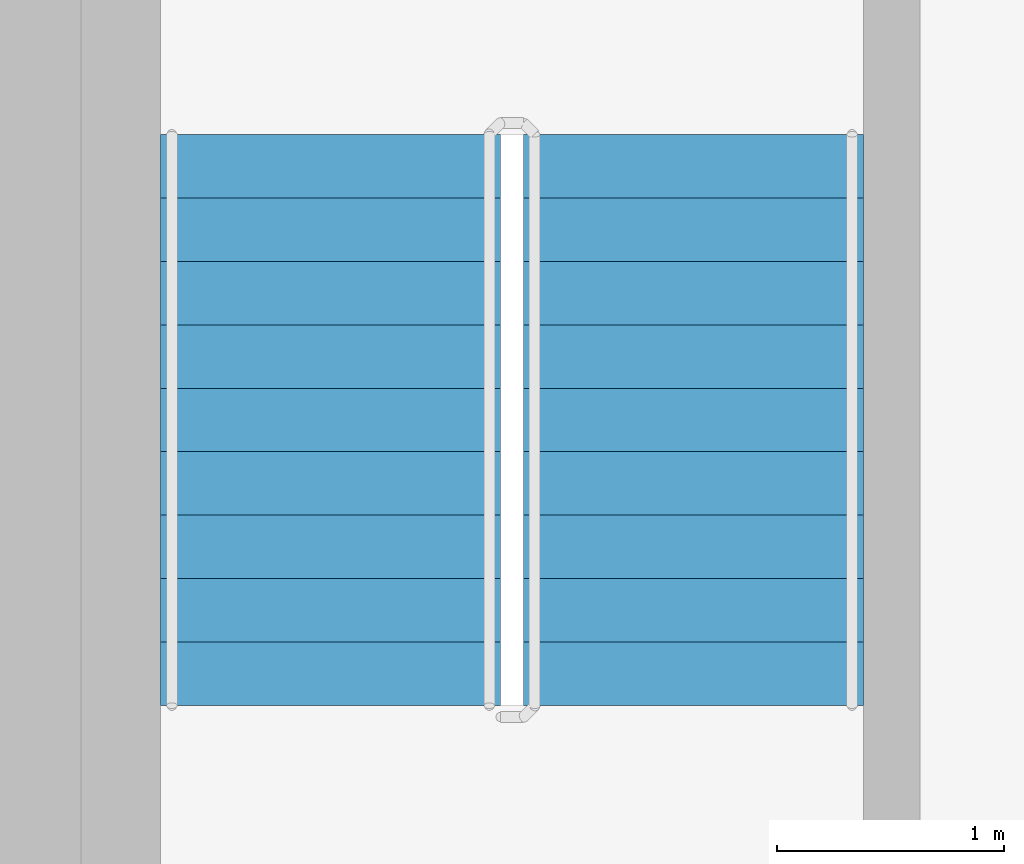
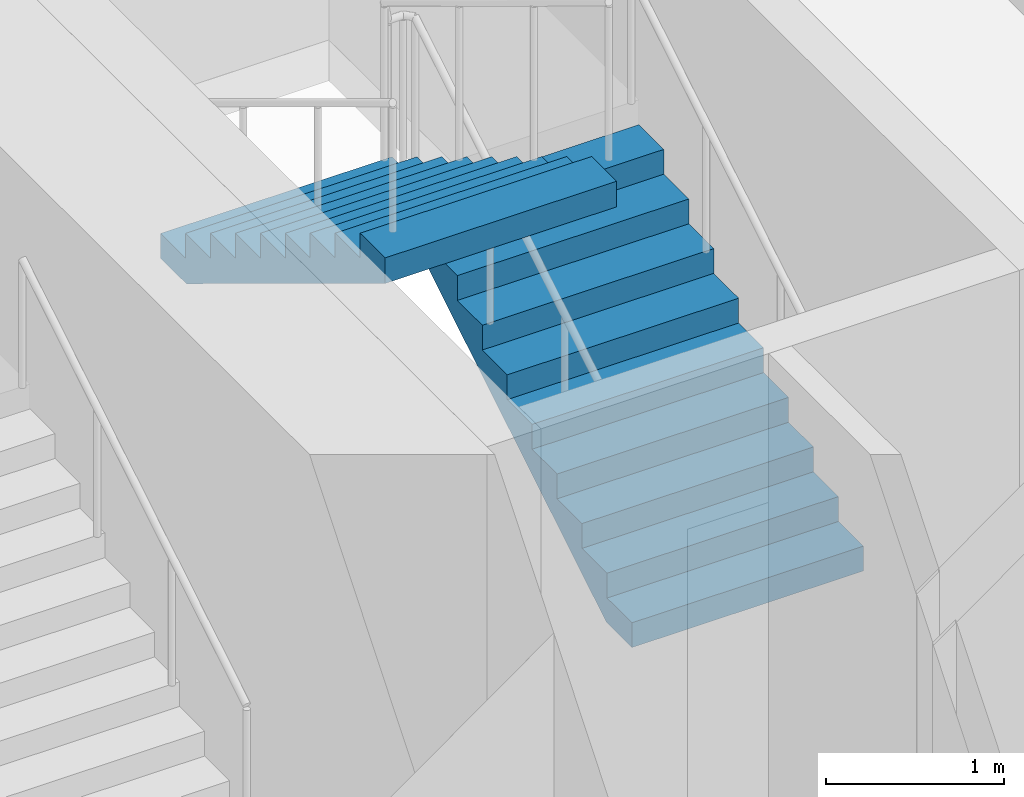
# One storey, part 14 of 23: 2 stair flights, 1 element without a shape of its own.
"""IFC4 building model written with IfcOpenShell, lengths in metres."""

from ifc_helpers import new_model, si_unit, direction, frame, origin, place, context, subcontext, project, spatial, triangles, source, transform, mapped, material, type_object, element, aggregate, save


model = new_model("IFC4")

# Units and contexts
model_context = context("Model", 3, precision=1e-05, world=origin(), true_north=direction((0.0, 1.0)))
body_context = subcontext(model_context, "Body", "Model", "MODEL_VIEW")
ifc_project = project(units=[si_unit("LENGTHUNIT", "METRE"), si_unit("AREAUNIT", "SQUARE_METRE"), si_unit("VOLUMEUNIT", "CUBIC_METRE"), si_unit("PLANEANGLEUNIT", "RADIAN"), si_unit("MASSUNIT", "GRAM", prefix="KILO")], contexts=[model_context])

# Site, building, storey
site_placement = place(None, origin())
site = spatial("IfcSite", under=ifc_project, at=site_placement, CompositionType="ELEMENT")
building_placement = place(site_placement, origin())
building = spatial("IfcBuilding", under=site, at=building_placement, Name="Kilnfold Tower and Market Hall", CompositionType="ELEMENT")
storey_placement = place(building_placement, frame((0.0, 0.0, 178.699951171875)))
storey = spatial("IfcBuildingStorey", under=building, at=storey_placement, Name="L42", CompositionType="ELEMENT", Elevation=178.699951171875)

# Stair, stair flights
ifc_material_1 = material(Name="Concrete C40/50", Category="concrete")
stair_type = type_object("IfcStairType", Name="CORE STAIR 1500", PredefinedType="HALF_TURN_STAIR", material=ifc_material_1)
stair_placement = place(storey_placement, origin())
stair = element("IfcStair", 1, at=stair_placement, inside=storey, type_object=stair_type, Name="L42 ST5", PredefinedType="HALF_TURN_STAIR")
ifc_material_2 = material(Name="Concrete C40/50", Category="concrete")
stair_flight_type = type_object("IfcStairFlightType", Name="CORE STAIR FLIGHT 1500", PredefinedType="STRAIGHT", material=ifc_material_2)
shared_shape = source(origin(), body_context, "Body", "Tessellation", [
    triangles([(0.0, 0.75, 0.0), (0.0, 0.65625, 0.0), (0.0, 0.5625, 0.0), (0.0, 0.46875, 0.0), (0.0, 0.375, 0.0), (0.0, 0.28125, 0.0), (0.0, 0.1875, 0.0), (0.0, 0.09375, 0.0), (0.0, 0.0, 0.0), (0.0, -0.09375, 0.0), (0.0, -0.1875, 0.0), (0.0, -0.28125, 0.0), (0.0, -0.375, 0.0), (0.0, -0.46875, 0.0), (0.0, -0.5625, 0.0), (0.0, -0.65625, 0.0), (0.0, -0.75, 0.0), (0.0, 0.75, 0.169921875), (0.0, 0.65625, 0.169921875), (0.0, 0.5625, 0.169921875), (0.0, 0.46875, 0.169921875), (0.0, 0.375, 0.169921875), (0.0, 0.28125, 0.169921875), (0.0, 0.1875, 0.169921875), (0.0, 0.09375, 0.169921875), (0.0, 0.0, 0.169921875), (0.0, -0.09375, 0.169921875), (0.0, -0.1875, 0.169921875), (0.0, -0.28125, 0.169921875), (0.0, -0.375, 0.169921875), (0.0, -0.46875, 0.169921875), (0.0, -0.5625, 0.169921875), (0.0, -0.65625, 0.169921875), (0.0, -0.75, 0.169921875), (0.280029296875, 0.75, 0.169921875), (0.280029296875, 0.65625, 0.169921875), (0.280029296875, 0.5625, 0.169921875), (0.280029296875, 0.46875, 0.169921875), (0.280029296875, 0.375, 0.169921875), (0.280029296875, 0.28125, 0.169921875), (0.280029296875, 0.1875, 0.169921875), (0.280029296875, 0.09375, 0.169921875), (0.280029296875, 0.0, 0.169921875), (0.280029296875, -0.09375, 0.169921875), (0.280029296875, -0.1875, 0.169921875), (0.280029296875, -0.28125, 0.169921875), (0.280029296875, -0.375, 0.169921875), (0.280029296875, -0.46875, 0.169921875), (0.280029296875, -0.5625, 0.169921875), (0.280029296875, -0.65625, 0.169921875), (0.280029296875, -0.75, 0.169921875), (0.280029296875, 0.75, 0.340087890625), (0.280029296875, 0.65625, 0.340087890625), (0.280029296875, 0.5625, 0.340087890625), (0.280029296875, 0.46875, 0.340087890625), (0.280029296875, 0.375, 0.340087890625), (0.280029296875, 0.28125, 0.340087890625), (0.280029296875, 0.1875, 0.340087890625), (0.280029296875, 0.09375, 0.340087890625), (0.280029296875, 0.0, 0.340087890625), (0.280029296875, -0.09375, 0.340087890625), (0.280029296875, -0.1875, 0.340087890625), (0.280029296875, -0.28125, 0.340087890625), (0.280029296875, -0.375, 0.340087890625), (0.280029296875, -0.46875, 0.340087890625), (0.280029296875, -0.5625, 0.340087890625), (0.280029296875, -0.65625, 0.340087890625), (0.280029296875, -0.75, 0.340087890625), (0.56005859375, 0.75, 0.340087890625), (0.56005859375, 0.65625, 0.340087890625), (0.56005859375, 0.5625, 0.340087890625), (0.56005859375, 0.46875, 0.340087890625), (0.56005859375, 0.375, 0.340087890625), (0.56005859375, 0.28125, 0.340087890625), (0.56005859375, 0.1875, 0.340087890625), (0.56005859375, 0.09375, 0.340087890625), (0.56005859375, 0.0, 0.340087890625), (0.56005859375, -0.09375, 0.340087890625), (0.56005859375, -0.1875, 0.340087890625), (0.56005859375, -0.28125, 0.340087890625), (0.56005859375, -0.375, 0.340087890625), (0.56005859375, -0.46875, 0.340087890625), (0.56005859375, -0.5625, 0.340087890625), (0.56005859375, -0.65625, 0.340087890625), (0.56005859375, -0.75, 0.340087890625), (0.56005859375, 0.75, 0.510009765625), (0.56005859375, 0.65625, 0.510009765625), (0.56005859375, 0.5625, 0.510009765625), (0.56005859375, 0.46875, 0.510009765625), (0.56005859375, 0.375, 0.510009765625), (0.56005859375, 0.28125, 0.510009765625), (0.56005859375, 0.1875, 0.510009765625), (0.56005859375, 0.09375, 0.510009765625), (0.56005859375, 0.0, 0.510009765625), (0.56005859375, -0.09375, 0.510009765625), (0.56005859375, -0.1875, 0.510009765625), (0.56005859375, -0.28125, 0.510009765625), (0.56005859375, -0.375, 0.510009765625), (0.56005859375, -0.46875, 0.510009765625), (0.56005859375, -0.5625, 0.510009765625), (0.56005859375, -0.65625, 0.510009765625), (0.56005859375, -0.75, 0.510009765625), (0.840087890625, 0.75, 0.510009765625), (0.840087890625, 0.65625, 0.510009765625), (0.840087890625, 0.5625, 0.510009765625), (0.840087890625, 0.46875, 0.510009765625), (0.840087890625, 0.375, 0.510009765625), (0.840087890625, 0.28125, 0.510009765625), (0.840087890625, 0.1875, 0.510009765625), (0.840087890625, 0.09375, 0.510009765625), (0.840087890625, 0.0, 0.510009765625), (0.840087890625, -0.09375, 0.510009765625), (0.840087890625, -0.1875, 0.510009765625), (0.840087890625, -0.28125, 0.510009765625), (0.840087890625, -0.375, 0.510009765625), (0.840087890625, -0.46875, 0.510009765625), (0.840087890625, -0.5625, 0.510009765625), (0.840087890625, -0.65625, 0.510009765625), (0.840087890625, -0.75, 0.510009765625), (0.840087890625, 0.75, 0.679931640625), (0.840087890625, 0.65625, 0.679931640625), (0.840087890625, 0.5625, 0.679931640625), (0.840087890625, 0.46875, 0.679931640625), (0.840087890625, 0.375, 0.679931640625), (0.840087890625, 0.28125, 0.679931640625), (0.840087890625, 0.1875, 0.679931640625), (0.840087890625, 0.09375, 0.679931640625), (0.840087890625, 0.0, 0.679931640625), (0.840087890625, -0.09375, 0.679931640625), (0.840087890625, -0.1875, 0.679931640625), (0.840087890625, -0.28125, 0.679931640625), (0.840087890625, -0.375, 0.679931640625), (0.840087890625, -0.46875, 0.679931640625), (0.840087890625, -0.5625, 0.679931640625), (0.840087890625, -0.65625, 0.679931640625), (0.840087890625, -0.75, 0.679931640625), (1.1201171875, 0.75, 0.679931640625), (1.1201171875, 0.65625, 0.679931640625), (1.1201171875, 0.5625, 0.679931640625), (1.1201171875, 0.46875, 0.679931640625), (1.1201171875, 0.375, 0.679931640625), (1.1201171875, 0.28125, 0.679931640625), (1.1201171875, 0.1875, 0.679931640625), (1.1201171875, 0.09375, 0.679931640625), (1.1201171875, 0.0, 0.679931640625), (1.1201171875, -0.09375, 0.679931640625), (1.1201171875, -0.1875, 0.679931640625), (1.1201171875, -0.28125, 0.679931640625), (1.1201171875, -0.375, 0.679931640625), (1.1201171875, -0.46875, 0.679931640625), (1.1201171875, -0.5625, 0.679931640625), (1.1201171875, -0.65625, 0.679931640625), (1.1201171875, -0.75, 0.679931640625), (1.1201171875, 0.75, 0.85009765625), (1.1201171875, 0.65625, 0.85009765625), (1.1201171875, 0.5625, 0.85009765625), (1.1201171875, 0.46875, 0.85009765625), (1.1201171875, 0.375, 0.85009765625), (1.1201171875, 0.28125, 0.85009765625), (1.1201171875, 0.1875, 0.85009765625), (1.1201171875, 0.09375, 0.85009765625), (1.1201171875, 0.0, 0.85009765625), (1.1201171875, -0.09375, 0.85009765625), (1.1201171875, -0.1875, 0.85009765625), (1.1201171875, -0.28125, 0.85009765625), (1.1201171875, -0.375, 0.85009765625), (1.1201171875, -0.46875, 0.85009765625), (1.1201171875, -0.5625, 0.85009765625), (1.1201171875, -0.65625, 0.85009765625), (1.1201171875, -0.75, 0.85009765625), (1.39990234375, 0.75, 0.85009765625), (1.39990234375, 0.65625, 0.85009765625), (1.39990234375, 0.5625, 0.85009765625), (1.39990234375, 0.46875, 0.85009765625), (1.39990234375, 0.375, 0.85009765625), (1.39990234375, 0.28125, 0.85009765625), (1.39990234375, 0.1875, 0.85009765625), (1.39990234375, 0.09375, 0.85009765625), (1.39990234375, 0.0, 0.85009765625), (1.39990234375, -0.09375, 0.85009765625), (1.39990234375, -0.1875, 0.85009765625), (1.39990234375, -0.28125, 0.85009765625), (1.39990234375, -0.375, 0.85009765625), (1.39990234375, -0.46875, 0.85009765625), (1.39990234375, -0.5625, 0.85009765625), (1.39990234375, -0.65625, 0.85009765625), (1.39990234375, -0.75, 0.85009765625), (1.39990234375, 0.75, 1.02001953125), (1.39990234375, 0.65625, 1.02001953125), (1.39990234375, 0.5625, 1.02001953125), (1.39990234375, 0.46875, 1.02001953125), (1.39990234375, 0.375, 1.02001953125), (1.39990234375, 0.28125, 1.02001953125), (1.39990234375, 0.1875, 1.02001953125), (1.39990234375, 0.09375, 1.02001953125), (1.39990234375, 0.0, 1.02001953125), (1.39990234375, -0.09375, 1.02001953125), (1.39990234375, -0.1875, 1.02001953125), (1.39990234375, -0.28125, 1.02001953125), (1.39990234375, -0.375, 1.02001953125), (1.39990234375, -0.46875, 1.02001953125), (1.39990234375, -0.5625, 1.02001953125), (1.39990234375, -0.65625, 1.02001953125), (1.39990234375, -0.75, 1.02001953125), (1.679931640625, 0.75, 1.02001953125), (1.679931640625, 0.65625, 1.02001953125), (1.679931640625, 0.5625, 1.02001953125), (1.679931640625, 0.46875, 1.02001953125), (1.679931640625, 0.375, 1.02001953125), (1.679931640625, 0.28125, 1.02001953125), (1.679931640625, 0.1875, 1.02001953125), (1.679931640625, 0.09375, 1.02001953125), (1.679931640625, 0.0, 1.02001953125), (1.679931640625, -0.09375, 1.02001953125), (1.679931640625, -0.1875, 1.02001953125), (1.679931640625, -0.28125, 1.02001953125), (1.679931640625, -0.375, 1.02001953125), (1.679931640625, -0.46875, 1.02001953125), (1.679931640625, -0.5625, 1.02001953125), (1.679931640625, -0.65625, 1.02001953125), (1.679931640625, -0.75, 1.02001953125), (1.679931640625, 0.75, 1.18994140625), (1.679931640625, 0.65625, 1.18994140625), (1.679931640625, 0.5625, 1.18994140625), (1.679931640625, 0.46875, 1.18994140625), (1.679931640625, 0.375, 1.18994140625), (1.679931640625, 0.28125, 1.18994140625), (1.679931640625, 0.1875, 1.18994140625), (1.679931640625, 0.09375, 1.18994140625), (1.679931640625, 0.0, 1.18994140625), (1.679931640625, -0.09375, 1.18994140625), (1.679931640625, -0.1875, 1.18994140625), (1.679931640625, -0.28125, 1.18994140625), (1.679931640625, -0.375, 1.18994140625), (1.679931640625, -0.46875, 1.18994140625), (1.679931640625, -0.5625, 1.18994140625), (1.679931640625, -0.65625, 1.18994140625), (1.679931640625, -0.75, 1.18994140625), (1.9599609375, 0.75, 1.18994140625), (1.9599609375, 0.65625, 1.18994140625), (1.9599609375, 0.5625, 1.18994140625), (1.9599609375, 0.46875, 1.18994140625), (1.9599609375, 0.375, 1.18994140625), (1.9599609375, 0.28125, 1.18994140625), (1.9599609375, 0.1875, 1.18994140625), (1.9599609375, 0.09375, 1.18994140625), (1.9599609375, 0.0, 1.18994140625), (1.9599609375, -0.09375, 1.18994140625), (1.9599609375, -0.1875, 1.18994140625), (1.9599609375, -0.28125, 1.18994140625), (1.9599609375, -0.375, 1.18994140625), (1.9599609375, -0.46875, 1.18994140625), (1.9599609375, -0.5625, 1.18994140625), (1.9599609375, -0.65625, 1.18994140625), (1.9599609375, -0.75, 1.18994140625), (1.9599609375, 0.75, 1.360107421875), (1.9599609375, 0.65625, 1.360107421875), (1.9599609375, 0.5625, 1.360107421875), (1.9599609375, 0.46875, 1.360107421875), (1.9599609375, 0.375, 1.360107421875), (1.9599609375, 0.28125, 1.360107421875), (1.9599609375, 0.1875, 1.360107421875), (1.9599609375, 0.09375, 1.360107421875), (1.9599609375, 0.0, 1.360107421875), (1.9599609375, -0.09375, 1.360107421875), (1.9599609375, -0.1875, 1.360107421875), (1.9599609375, -0.28125, 1.360107421875), (1.9599609375, -0.375, 1.360107421875), (1.9599609375, -0.46875, 1.360107421875), (1.9599609375, -0.5625, 1.360107421875), (1.9599609375, -0.65625, 1.360107421875), (1.9599609375, -0.75, 1.360107421875), (2.239990234375, 0.75, 1.360107421875), (2.239990234375, 0.65625, 1.360107421875), (2.239990234375, 0.5625, 1.360107421875), (2.239990234375, 0.46875, 1.360107421875), (2.239990234375, 0.375, 1.360107421875), (2.239990234375, 0.28125, 1.360107421875), (2.239990234375, 0.1875, 1.360107421875), (2.239990234375, 0.09375, 1.360107421875), (2.239990234375, 0.0, 1.360107421875), (2.239990234375, -0.09375, 1.360107421875), (2.239990234375, -0.1875, 1.360107421875), (2.239990234375, -0.28125, 1.360107421875), (2.239990234375, -0.375, 1.360107421875), (2.239990234375, -0.46875, 1.360107421875), (2.239990234375, -0.5625, 1.360107421875), (2.239990234375, -0.65625, 1.360107421875), (2.239990234375, -0.75, 1.360107421875), (2.239990234375, 0.75, 1.530029296875), (2.239990234375, 0.65625, 1.530029296875), (2.239990234375, 0.5625, 1.530029296875), (2.239990234375, 0.46875, 1.530029296875), (2.239990234375, 0.375, 1.530029296875), (2.239990234375, 0.28125, 1.530029296875), (2.239990234375, 0.1875, 1.530029296875), (2.239990234375, 0.09375, 1.530029296875), (2.239990234375, 0.0, 1.530029296875), (2.239990234375, -0.09375, 1.530029296875), (2.239990234375, -0.1875, 1.530029296875), (2.239990234375, -0.28125, 1.530029296875), (2.239990234375, -0.375, 1.530029296875), (2.239990234375, -0.46875, 1.530029296875), (2.239990234375, -0.5625, 1.530029296875), (2.239990234375, -0.65625, 1.530029296875), (2.239990234375, -0.75, 1.530029296875), (2.52001953125, 0.75, 1.530029296875), (2.52001953125, 0.65625, 1.530029296875), (2.52001953125, 0.5625, 1.530029296875), (2.52001953125, 0.46875, 1.530029296875), (2.52001953125, 0.375, 1.530029296875), (2.52001953125, 0.28125, 1.530029296875), (2.52001953125, 0.1875, 1.530029296875), (2.52001953125, 0.09375, 1.530029296875), (2.52001953125, 0.0, 1.530029296875), (2.52001953125, -0.09375, 1.530029296875), (2.52001953125, -0.1875, 1.530029296875), (2.52001953125, -0.28125, 1.530029296875), (2.52001953125, -0.375, 1.530029296875), (2.52001953125, -0.46875, 1.530029296875), (2.52001953125, -0.5625, 1.530029296875), (2.52001953125, -0.65625, 1.530029296875), (2.52001953125, -0.75, 1.530029296875), (2.52001953125, 0.75, 1.354736328125), (2.52001953125, 0.65625, 1.354736328125), (2.52001953125, 0.5625, 1.354736328125), (2.52001953125, 0.46875, 1.354736328125), (2.52001953125, 0.375, 1.354736328125), (2.52001953125, 0.28125, 1.354736328125), (2.52001953125, 0.1875, 1.354736328125), (2.52001953125, 0.09375, 1.354736328125), (2.52001953125, 0.0, 1.354736328125), (2.52001953125, -0.09375, 1.354736328125), (2.52001953125, -0.1875, 1.354736328125), (2.52001953125, -0.28125, 1.354736328125), (2.52001953125, -0.375, 1.354736328125), (2.52001953125, -0.46875, 1.354736328125), (2.52001953125, -0.5625, 1.354736328125), (2.52001953125, -0.65625, 1.354736328125), (2.52001953125, -0.75, 1.354736328125), (0.288818359375, 0.75, 0.0), (0.288818359375, 0.65625, 0.0), (0.288818359375, 0.5625, 0.0), (0.288818359375, 0.46875, 0.0), (0.288818359375, 0.375, 0.0), (0.288818359375, 0.28125, 0.0), (0.288818359375, 0.1875, 0.0), (0.288818359375, 0.09375, 0.0), (0.288818359375, 0.0, 0.0), (0.288818359375, -0.09375, 0.0), (0.288818359375, -0.1875, 0.0), (0.288818359375, -0.28125, 0.0), (0.288818359375, -0.375, 0.0), (0.288818359375, -0.46875, 0.0), (0.288818359375, -0.5625, 0.0), (0.288818359375, -0.65625, 0.0), (0.288818359375, -0.75, 0.0)], [[1, 324, 341], [17, 357, 340], [324, 290, 307], [340, 323, 306], [324, 273, 290], [340, 306, 289], [324, 256, 273], [340, 289, 272], [324, 239, 256], [340, 272, 255], [239, 205, 222], [255, 238, 221], [324, 205, 239], [340, 255, 221], [205, 171, 188], [221, 204, 187], [324, 171, 205], [340, 221, 187], [171, 137, 154], [187, 170, 153], [324, 137, 171], [340, 187, 153], [137, 103, 120], [153, 136, 119], [324, 103, 137], [340, 153, 119], [103, 69, 86], [119, 102, 85], [324, 69, 103], [340, 119, 85], [69, 35, 52], [85, 68, 51], [324, 35, 69], [340, 85, 51], [1, 35, 324], [17, 340, 51], [35, 1, 18], [51, 34, 17], [1, 19, 18], [1, 2, 19], [2, 20, 19], [2, 3, 20], [3, 21, 20], [3, 4, 21], [4, 22, 21], [4, 5, 22], [5, 23, 22], [5, 6, 23], [6, 24, 23], [6, 7, 24], [7, 25, 24], [7, 8, 25], [8, 26, 25], [8, 9, 26], [9, 27, 26], [9, 10, 27], [10, 28, 27], [10, 11, 28], [11, 29, 28], [11, 12, 29], [12, 30, 29], [12, 13, 30], [13, 31, 30], [13, 14, 31], [14, 32, 31], [14, 15, 32], [15, 33, 32], [15, 16, 33], [16, 34, 33], [16, 17, 34], [18, 36, 35], [18, 19, 36], [19, 37, 36], [19, 20, 37], [20, 38, 37], [20, 21, 38], [21, 39, 38], [21, 22, 39], [22, 40, 39], [22, 23, 40], [23, 41, 40], [23, 24, 41], [24, 42, 41], [24, 25, 42], [25, 43, 42], [25, 26, 43], [26, 44, 43], [26, 27, 44], [27, 45, 44], [27, 28, 45], [28, 46, 45], [28, 29, 46], [29, 47, 46], [29, 30, 47], [30, 48, 47], [30, 31, 48], [31, 49, 48], [31, 32, 49], [32, 50, 49], [32, 33, 50], [33, 51, 50], [33, 34, 51], [35, 53, 52], [35, 36, 53], [36, 54, 53], [36, 37, 54], [37, 55, 54], [37, 38, 55], [38, 56, 55], [38, 39, 56], [39, 57, 56], [39, 40, 57], [40, 58, 57], [40, 41, 58], [41, 59, 58], [41, 42, 59], [42, 60, 59], [42, 43, 60], [43, 61, 60], [43, 44, 61], [44, 62, 61], [44, 45, 62], [45, 63, 62], [45, 46, 63], [46, 64, 63], [46, 47, 64], [47, 65, 64], [47, 48, 65], [48, 66, 65], [48, 49, 66], [49, 67, 66], [49, 50, 67], [50, 68, 67], [50, 51, 68], [52, 70, 69], [52, 53, 70], [53, 71, 70], [53, 54, 71], [54, 72, 71], [54, 55, 72], [55, 73, 72], [55, 56, 73], [56, 74, 73], [56, 57, 74], [57, 75, 74], [57, 58, 75], [58, 76, 75], [58, 59, 76], [59, 77, 76], [59, 60, 77], [60, 78, 77], [60, 61, 78], [61, 79, 78], [61, 62, 79], [62, 80, 79], [62, 63, 80], [63, 81, 80], [63, 64, 81], [64, 82, 81], [64, 65, 82], [65, 83, 82], [65, 66, 83], [66, 84, 83], [66, 67, 84], [67, 85, 84], [67, 68, 85], [69, 87, 86], [69, 70, 87], [70, 88, 87], [70, 71, 88], [71, 89, 88], [71, 72, 89], [72, 90, 89], [72, 73, 90], [73, 91, 90], [73, 74, 91], [74, 92, 91], [74, 75, 92], [75, 93, 92], [75, 76, 93], [76, 94, 93], [76, 77, 94], [77, 95, 94], [77, 78, 95], [78, 96, 95], [78, 79, 96], [79, 97, 96], [79, 80, 97], [80, 98, 97], [80, 81, 98], [81, 99, 98], [81, 82, 99], [82, 100, 99], [82, 83, 100], [83, 101, 100], [83, 84, 101], [84, 102, 101], [84, 85, 102], [86, 104, 103], [86, 87, 104], [87, 105, 104], [87, 88, 105], [88, 106, 105], [88, 89, 106], [89, 107, 106], [89, 90, 107], [90, 108, 107], [90, 91, 108], [91, 109, 108], [91, 92, 109], [92, 110, 109], [92, 93, 110], [93, 111, 110], [93, 94, 111], [94, 112, 111], [94, 95, 112], [95, 113, 112], [95, 96, 113], [96, 114, 113], [96, 97, 114], [97, 115, 114], [97, 98, 115], [98, 116, 115], [98, 99, 116], [99, 117, 116], [99, 100, 117], [100, 118, 117], [100, 101, 118], [101, 119, 118], [101, 102, 119], [103, 121, 120], [103, 104, 121], [104, 122, 121], [104, 105, 122], [105, 123, 122], [105, 106, 123], [106, 124, 123], [106, 107, 124], [107, 125, 124], [107, 108, 125], [108, 126, 125], [108, 109, 126], [109, 127, 126], [109, 110, 127], [110, 128, 127], [110, 111, 128], [111, 129, 128], [111, 112, 129], [112, 130, 129], [112, 113, 130], [113, 131, 130], [113, 114, 131], [114, 132, 131], [114, 115, 132], [115, 133, 132], [115, 116, 133], [116, 134, 133], [116, 117, 134], [117, 135, 134], [117, 118, 135], [118, 136, 135], [118, 119, 136], [120, 138, 137], [120, 121, 138], [121, 139, 138], [121, 122, 139], [122, 140, 139], [122, 123, 140], [123, 141, 140], [123, 124, 141], [124, 142, 141], [124, 125, 142], [125, 143, 142], [125, 126, 143], [126, 144, 143], [126, 127, 144], [127, 145, 144], [127, 128, 145], [128, 146, 145], [128, 129, 146], [129, 147, 146], [129, 130, 147], [130, 148, 147], [130, 131, 148], [131, 149, 148], [131, 132, 149], [132, 150, 149], [132, 133, 150], [133, 151, 150], [133, 134, 151], [134, 152, 151], [134, 135, 152], [135, 153, 152], [135, 136, 153], [137, 155, 154], [137, 138, 155], [138, 156, 155], [138, 139, 156], [139, 157, 156], [139, 140, 157], [140, 158, 157], [140, 141, 158], [141, 159, 158], [141, 142, 159], [142, 160, 159], [142, 143, 160], [143, 161, 160], [143, 144, 161], [144, 162, 161], [144, 145, 162], [145, 163, 162], [145, 146, 163], [146, 164, 163], [146, 147, 164], [147, 165, 164], [147, 148, 165], [148, 166, 165], [148, 149, 166], [149, 167, 166], [149, 150, 167], [150, 168, 167], [150, 151, 168], [151, 169, 168], [151, 152, 169], [152, 170, 169], [152, 153, 170], [154, 172, 171], [154, 155, 172], [155, 173, 172], [155, 156, 173], [156, 174, 173], [156, 157, 174], [157, 175, 174], [157, 158, 175], [158, 176, 175], [158, 159, 176], [159, 177, 176], [159, 160, 177], [160, 178, 177], [160, 161, 178], [161, 179, 178], [161, 162, 179], [162, 180, 179], [162, 163, 180], [163, 181, 180], [163, 164, 181], [164, 182, 181], [164, 165, 182], [165, 183, 182], [165, 166, 183], [166, 184, 183], [166, 167, 184], [167, 185, 184], [167, 168, 185], [168, 186, 185], [168, 169, 186], [169, 187, 186], [169, 170, 187], [171, 189, 188], [171, 172, 189], [172, 190, 189], [172, 173, 190], [173, 191, 190], [173, 174, 191], [174, 192, 191], [174, 175, 192], [175, 193, 192], [175, 176, 193], [176, 194, 193], [176, 177, 194], [177, 195, 194], [177, 178, 195], [178, 196, 195], [178, 179, 196], [179, 197, 196], [179, 180, 197], [180, 198, 197], [180, 181, 198], [181, 199, 198], [181, 182, 199], [182, 200, 199], [182, 183, 200], [183, 201, 200], [183, 184, 201], [184, 202, 201], [184, 185, 202], [185, 203, 202], [185, 186, 203], [186, 204, 203], [186, 187, 204], [188, 206, 205], [188, 189, 206], [189, 207, 206], [189, 190, 207], [190, 208, 207], [190, 191, 208], [191, 209, 208], [191, 192, 209], [192, 210, 209], [192, 193, 210], [193, 211, 210], [193, 194, 211], [194, 212, 211], [194, 195, 212], [195, 213, 212], [195, 196, 213], [196, 214, 213], [196, 197, 214], [197, 215, 214], [197, 198, 215], [198, 216, 215], [198, 199, 216], [199, 217, 216], [199, 200, 217], [200, 218, 217], [200, 201, 218], [201, 219, 218], [201, 202, 219], [202, 220, 219], [202, 203, 220], [203, 221, 220], [203, 204, 221], [205, 223, 222], [205, 206, 223], [206, 224, 223], [206, 207, 224], [207, 225, 224], [207, 208, 225], [208, 226, 225], [208, 209, 226], [209, 227, 226], [209, 210, 227], [210, 228, 227], [210, 211, 228], [211, 229, 228], [211, 212, 229], [212, 230, 229], [212, 213, 230], [213, 231, 230], [213, 214, 231], [214, 232, 231], [214, 215, 232], [215, 233, 232], [215, 216, 233], [216, 234, 233], [216, 217, 234], [217, 235, 234], [217, 218, 235], [218, 236, 235], [218, 219, 236], [219, 237, 236], [219, 220, 237], [220, 238, 237], [220, 221, 238], [222, 240, 239], [222, 223, 240], [223, 241, 240], [223, 224, 241], [224, 242, 241], [224, 225, 242], [225, 243, 242], [225, 226, 243], [226, 244, 243], [226, 227, 244], [227, 245, 244], [227, 228, 245], [228, 246, 245], [228, 229, 246], [229, 247, 246], [229, 230, 247], [230, 248, 247], [230, 231, 248], [231, 249, 248], [231, 232, 249], [232, 250, 249], [232, 233, 250], [233, 251, 250], [233, 234, 251], [234, 252, 251], [234, 235, 252], [235, 253, 252], [235, 236, 253], [236, 254, 253], [236, 237, 254], [237, 255, 254], [237, 238, 255], [239, 257, 256], [239, 240, 257], [240, 258, 257], [240, 241, 258], [241, 259, 258], [241, 242, 259], [242, 260, 259], [242, 243, 260], [243, 261, 260], [243, 244, 261], [244, 262, 261], [244, 245, 262], [245, 263, 262], [245, 246, 263], [246, 264, 263], [246, 247, 264], [247, 265, 264], [247, 248, 265], [248, 266, 265], [248, 249, 266], [249, 267, 266], [249, 250, 267], [250, 268, 267], [250, 251, 268], [251, 269, 268], [251, 252, 269], [252, 270, 269], [252, 253, 270], [253, 271, 270], [253, 254, 271], [254, 272, 271], [254, 255, 272], [256, 274, 273], [256, 257, 274], [257, 275, 274], [257, 258, 275], [258, 276, 275], [258, 259, 276], [259, 277, 276], [259, 260, 277], [260, 278, 277], [260, 261, 278], [261, 279, 278], [261, 262, 279], [262, 280, 279], [262, 263, 280], [263, 281, 280], [263, 264, 281], [264, 282, 281], [264, 265, 282], [265, 283, 282], [265, 266, 283], [266, 284, 283], [266, 267, 284], [267, 285, 284], [267, 268, 285], [268, 286, 285], [268, 269, 286], [269, 287, 286], [269, 270, 287], [270, 288, 287], [270, 271, 288], [271, 289, 288], [271, 272, 289], [273, 291, 290], [273, 274, 291], [274, 292, 291], [274, 275, 292], [275, 293, 292], [275, 276, 293], [276, 294, 293], [276, 277, 294], [277, 295, 294], [277, 278, 295], [278, 296, 295], [278, 279, 296], [279, 297, 296], [279, 280, 297], [280, 298, 297], [280, 281, 298], [281, 299, 298], [281, 282, 299], [282, 300, 299], [282, 283, 300], [283, 301, 300], [283, 284, 301], [284, 302, 301], [284, 285, 302], [285, 303, 302], [285, 286, 303], [286, 304, 303], [286, 287, 304], [287, 305, 304], [287, 288, 305], [288, 306, 305], [288, 289, 306], [290, 308, 307], [290, 291, 308], [291, 309, 308], [291, 292, 309], [292, 310, 309], [292, 293, 310], [293, 311, 310], [293, 294, 311], [294, 312, 311], [294, 295, 312], [295, 313, 312], [295, 296, 313], [296, 314, 313], [296, 297, 314], [297, 315, 314], [297, 298, 315], [298, 316, 315], [298, 299, 316], [299, 317, 316], [299, 300, 317], [300, 318, 317], [300, 301, 318], [301, 319, 318], [301, 302, 319], [302, 320, 319], [302, 303, 320], [303, 321, 320], [303, 304, 321], [304, 322, 321], [304, 305, 322], [305, 323, 322], [305, 306, 323], [307, 325, 324], [307, 308, 325], [308, 326, 325], [308, 309, 326], [309, 327, 326], [309, 310, 327], [310, 328, 327], [310, 311, 328], [311, 329, 328], [311, 312, 329], [312, 330, 329], [312, 313, 330], [313, 331, 330], [313, 314, 331], [314, 332, 331], [314, 315, 332], [315, 333, 332], [315, 316, 333], [316, 334, 333], [316, 317, 334], [317, 335, 334], [317, 318, 335], [318, 336, 335], [318, 319, 336], [319, 337, 336], [319, 320, 337], [320, 338, 337], [320, 321, 338], [321, 339, 338], [321, 322, 339], [322, 340, 339], [322, 323, 340], [324, 342, 341], [324, 325, 342], [325, 343, 342], [325, 326, 343], [326, 344, 343], [326, 327, 344], [327, 345, 344], [327, 328, 345], [328, 346, 345], [328, 329, 346], [329, 347, 346], [329, 330, 347], [330, 348, 347], [330, 331, 348], [331, 349, 348], [331, 332, 349], [332, 350, 349], [332, 333, 350], [333, 351, 350], [333, 334, 351], [334, 352, 351], [334, 335, 352], [335, 353, 352], [335, 336, 353], [336, 354, 353], [336, 337, 354], [337, 355, 354], [337, 338, 355], [338, 356, 355], [338, 339, 356], [339, 357, 356], [339, 340, 357], [341, 2, 1], [341, 342, 2], [342, 3, 2], [342, 343, 3], [343, 4, 3], [343, 344, 4], [344, 5, 4], [344, 345, 5], [345, 6, 5], [345, 346, 6], [346, 7, 6], [346, 347, 7], [347, 8, 7], [347, 348, 8], [348, 9, 8], [348, 349, 9], [349, 10, 9], [349, 350, 10], [350, 11, 10], [350, 351, 11], [351, 12, 11], [351, 352, 12], [352, 13, 12], [352, 353, 13], [353, 14, 13], [353, 354, 14], [354, 15, 14], [354, 355, 15], [355, 16, 15], [355, 356, 16], [356, 17, 16], [356, 357, 17]], closed=True),
])
stair_flight_1_placement = place(storey_placement, frame((20.699951171875, 11.5, 0.0), z_axis=(0.0, 0.0, 1.0), x_axis=(0.0, 1.0, 0.0)))
stair_flight_1 = element("IfcStairFlight", 2, at=stair_flight_1_placement, type_object=stair_flight_type, Name="ST5 flight 1", NumberOfRisers=10, NumberOfTreads=9, PredefinedType="STRAIGHT", RiserHeight=0.17, TreadLength=0.28, context=body_context, shape_type="MappedRepresentation", body=[
    mapped(shared_shape, transform((0.0, 0.0, 0.0))),
])
stair_flight_2_placement = place(storey_placement, frame((19.10009765625, 14.02001953125, 1.699951171875), z_axis=(0.0, 0.0, 1.0), x_axis=(0.0, -1.0, 0.0)))
stair_flight_2 = element("IfcStairFlight", 3, at=stair_flight_2_placement, type_object=stair_flight_type, Name="ST5 flight 2", NumberOfRisers=10, NumberOfTreads=9, PredefinedType="STRAIGHT", RiserHeight=0.17, TreadLength=0.28, context=body_context, shape_type="MappedRepresentation", body=[
    mapped(shared_shape, transform((0.0, 0.0, 0.0))),
])
aggregate(stair, [stair_flight_1, stair_flight_2])

save(model, "model.ifc")
